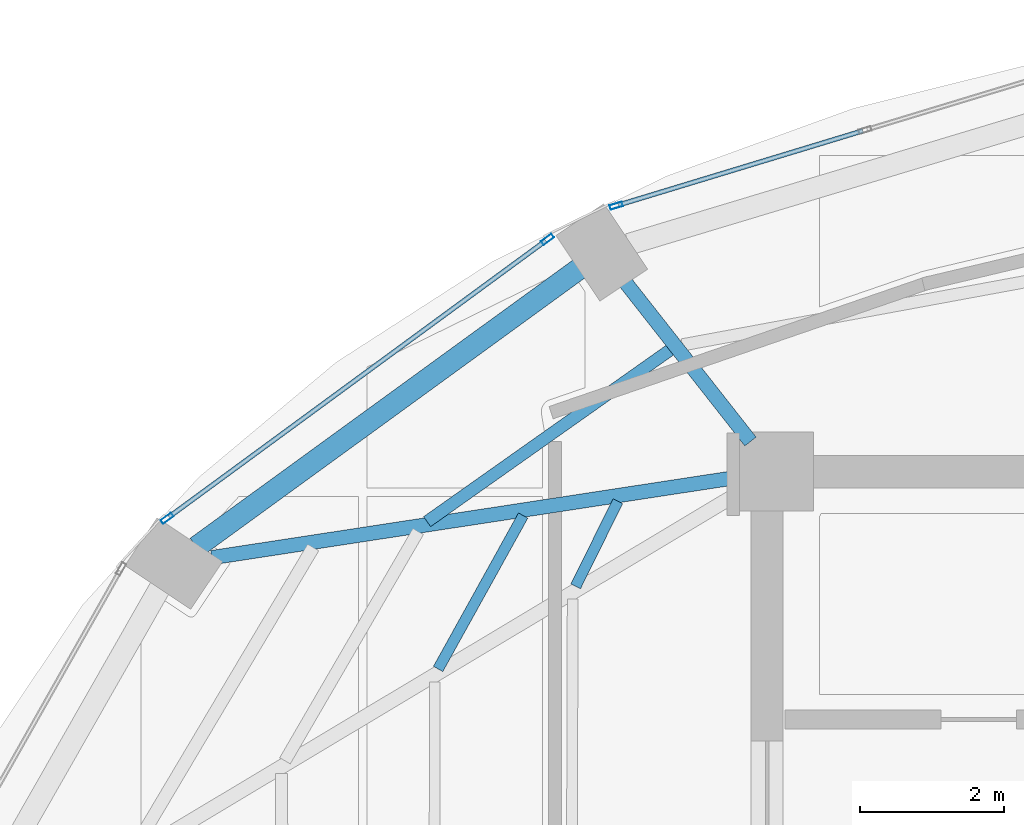
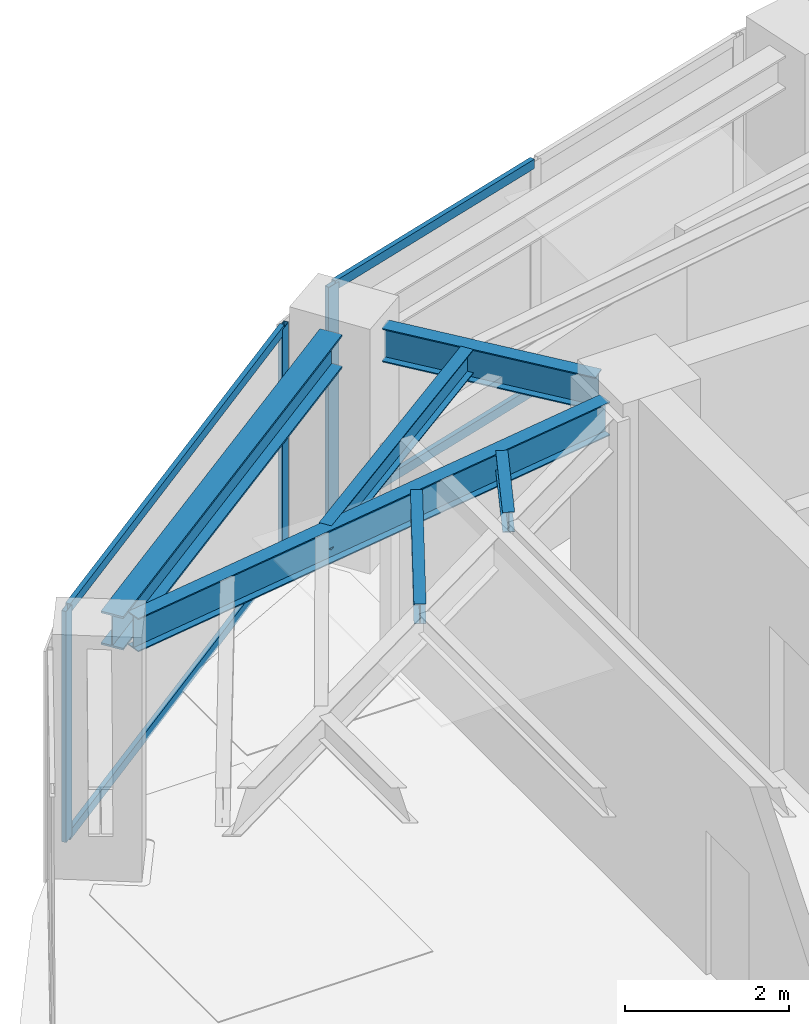
# One storey, part 10 of 22: 7 members, 6 beams, 2 elements without a shape of their own.
"""IFC4 building model written with IfcOpenShell, lengths in metres."""

from ifc_helpers import new_model, si_unit, direction, frame, origin, origin_2d, place, context, subcontext, project, spatial, hollow_rectangle, i_section, extrude, material, layer, layer_set, material_profile, profile_set, type_object, element, aggregate, save


model = new_model("IFC4")

# Units and contexts
model_context = context("Model", 3, precision=1e-05, world=origin(), true_north=direction((0.0, 1.0)))
body_context = subcontext(model_context, "Body", "Model", "MODEL_VIEW")
ifc_project = project(units=[si_unit("LENGTHUNIT", "METRE"), si_unit("AREAUNIT", "SQUARE_METRE"), si_unit("VOLUMEUNIT", "CUBIC_METRE"), si_unit("PLANEANGLEUNIT", "RADIAN"), si_unit("MASSUNIT", "GRAM", prefix="KILO")], contexts=[model_context])

# Site, building, storey
site_placement = place(None, origin())
site = spatial("IfcSite", under=ifc_project, at=site_placement, CompositionType="ELEMENT")
building_placement = place(site_placement, origin())
building = spatial("IfcBuilding", under=site, at=building_placement, Name="Lazwardi Medical Tower", CompositionType="ELEMENT")
storey_placement = place(building_placement, frame((0.0, 0.0, 251.3759765625)))
storey = spatial("IfcBuildingStorey", under=building, at=storey_placement, Name="L65", CompositionType="ELEMENT", Elevation=251.3759765625)

# Beams
ifc_material_1 = material(Name="Steel S355", Category="steel")
ifc_material_profile_1 = material_profile(ifc_material_1, i_section(OverallWidth=0.300048828125, OverallDepth=0.5, WebThickness=0.014404296875, FlangeThickness=0.028076171875, at=origin_2d()), Name="HEB 500")
ifc_profile_set_1 = profile_set([ifc_material_profile_1], Name="Steel S355")
beam_type_1 = type_object("IfcBeamType", Name="BM-RB-Z4", PredefinedType="BEAM", material=ifc_profile_set_1)
beam_1_placement = place(storey_placement, frame((23.68408203125, 38.4248046875, 3.197998046875), z_axis=(-0.808889916254, -0.587960120571, 0.0), x_axis=(0.587960120571, -0.808889916254, 0.0)))
element("IfcBeam", 1, at=beam_1_placement, inside=storey, type_object=beam_type_1, Name="Ring beam RB-05 B10 L65", PredefinedType="BEAM", context=body_context, shape_type="SweptSolid", body=[
    extrude(i_section(OverallWidth=0.300048828125, OverallDepth=0.5, WebThickness=0.014404296875, FlangeThickness=0.028076171875, at=origin_2d()), origin(), (0.0, 0.0, 1.0), 6.587158203125),
])
ifc_material_profile_2 = material_profile(ifc_material_1, i_section(OverallWidth=0.199951171875, OverallDepth=0.5, WebThickness=0.01025390625, FlangeThickness=0.01611328125, at=origin_2d()), Name="IPE 500")
ifc_profile_set_2 = profile_set([ifc_material_profile_2], Name="Steel S355")
beam_type_2 = type_object("IfcBeamType", Name="BM-RG-W3", PredefinedType="BEAM", material=ifc_profile_set_2)
beam_2_placement = place(storey_placement, frame((24.330322265625, 38.2333984375, 3.197998046875), z_axis=(0.617890508382, -0.786264153864, 0.0), x_axis=(0.786264153864, 0.617890508382, 0.0)))
element("IfcBeam", 2, at=beam_2_placement, inside=storey, type_object=beam_type_2, Name="Radial girder RG-04 R10 L65", PredefinedType="BEAM", context=body_context, shape_type="SweptSolid", body=[
    extrude(i_section(OverallWidth=0.199951171875, OverallDepth=0.5, WebThickness=0.01025390625, FlangeThickness=0.01611328125, at=origin_2d()), origin(), (0.0, 0.0, 1.0), 2.814453125),
])
beam_3_placement = place(storey_placement, frame((18.569091796875, 34.4033203125, 3.197998046875), z_axis=(0.988522137285, 0.151076087115, 0.0), x_axis=(-0.151076087115, 0.988522137285, 0.0)))
element("IfcBeam", 3, at=beam_3_placement, inside=storey, type_object=beam_type_2, Name="Radial girder RG-04 R11 L65", PredefinedType="BEAM", context=body_context, shape_type="SweptSolid", body=[
    extrude(i_section(OverallWidth=0.199951171875, OverallDepth=0.5, WebThickness=0.01025390625, FlangeThickness=0.01611328125, at=origin_2d()), origin(), (0.0, 0.0, 1.0), 7.38671875),
])
ifc_material_profile_3 = material_profile(ifc_material_1, i_section(OverallWidth=0.169921875, OverallDepth=0.360107421875, WebThickness=0.008056640625, FlangeThickness=0.0126953125, at=origin_2d()), Name="IPE 360")
ifc_profile_set_3 = profile_set([ifc_material_profile_3], Name="Steel S355")
beam_type_3 = type_object("IfcBeamType", Name="BM-SJ-02", PredefinedType="JOIST", material=ifc_profile_set_3)
beam_4_placement = place(storey_placement, frame((24.948486328125, 37.29345703125, 3.26806640625), z_axis=(-0.816711190406, -0.577046645832, 0.0), x_axis=(0.577046645832, -0.816711190406, 0.0)))
element("IfcBeam", 4, at=beam_4_placement, inside=storey, type_object=beam_type_3, Name="Secondary joist SJ-02 R2 B10 L65", PredefinedType="JOIST", context=body_context, shape_type="SweptSolid", body=[
    extrude(i_section(OverallWidth=0.169921875, OverallDepth=0.360107421875, WebThickness=0.008056640625, FlangeThickness=0.0126953125, at=origin_2d()), origin(), (0.0, 0.0, 1.0), 4.139892578125),
])
ifc_material_profile_4 = material_profile(ifc_material_1, i_section(OverallWidth=0.14990234375, OverallDepth=0.300048828125, WebThickness=0.007080078125, FlangeThickness=0.0107421875, at=origin_2d()), Name="IPE 300")
ifc_profile_set_4 = profile_set([ifc_material_profile_4], Name="Steel S355")
beam_type_4 = type_object("IfcBeamType", Name="BM-SJ-03", PredefinedType="JOIST", material=ifc_profile_set_4)
beam_5_placement = place(storey_placement, frame((22.904296875, 34.98974609375, 3.298095703125), z_axis=(-0.484751625998, -0.874651851363, 0.0), x_axis=(0.874651851363, -0.484751625998, 0.0)))
element("IfcBeam", 5, at=beam_5_placement, inside=storey, type_object=beam_type_4, Name="Secondary joist SJ-03 R3 B11 L65", PredefinedType="JOIST", context=body_context, shape_type="SweptSolid", body=[
    extrude(i_section(OverallWidth=0.14990234375, OverallDepth=0.300048828125, WebThickness=0.007080078125, FlangeThickness=0.0107421875, at=origin_2d()), origin(), (0.0, 0.0, 1.0), 2.442626953125),
])
beam_6_placement = place(storey_placement, frame((24.222412109375, 35.188720703125, 3.298095703125), z_axis=(-0.443587297772, -0.89623116954, 0.0), x_axis=(0.89623116954, -0.443587297772, 0.0)))
element("IfcBeam", 6, at=beam_6_placement, inside=storey, type_object=beam_type_4, Name="Secondary joist SJ-03 R4 B11 L65", PredefinedType="JOIST", context=body_context, shape_type="SweptSolid", body=[
    extrude(i_section(OverallWidth=0.14990234375, OverallDepth=0.300048828125, WebThickness=0.007080078125, FlangeThickness=0.0107421875, at=origin_2d()), origin(), (0.0, 0.0, 1.0), 1.32080078125),
])

# Curtain wall, member
ifc_material_2 = material(Name="Anodised bronze aluminium and solar control glazing", Category="aluminium")
ifc_layer = layer(ifc_material_2, 0.18994140625)
ifc_layer_set = layer_set([ifc_layer], Name="Anodised bronze aluminium and solar control glazing")
curtain_wall_type = type_object("IfcCurtainWallType", Name="CW-SYS-04", PredefinedType="NOTDEFINED", material=ifc_layer_set)
curtain_wall_1_placement = place(storey_placement, origin())
curtain_wall_1 = element("IfcCurtainWall", 7, at=curtain_wall_1_placement, inside=storey, type_object=curtain_wall_type, Name="L65 Unitised bronze curtain wall CW-04", PredefinedType="NOTDEFINED")
ifc_material_3 = material(Name="Anodised bronze aluminium", Category="aluminium")
ifc_material_profile_5 = material_profile(ifc_material_3, hollow_rectangle(XDim=0.06494140625, YDim=0.179931640625, WallThickness=0.00390625, at=origin_2d()), Name="ALU-MULLION 180x65x4")
ifc_profile_set_5 = profile_set([ifc_material_profile_5], Name="Anodised bronze aluminium")
member_type_1 = type_object("IfcMemberType", Name="CW-MUL-03", PredefinedType="MULLION", material=ifc_profile_set_5)
member_1_placement = place(storey_placement, frame((24.2001953125, 39.303466796875, 0.0), z_axis=(0.0, 0.0, 1.0), x_axis=(0.290581889515, -0.956850126972, 0.0)))
member_1 = element("IfcMember", 8, at=member_1_placement, type_object=member_type_1, Name="CW-04 mullion 3", PredefinedType="MULLION", context=body_context, shape_type="SweptSolid", body=[
    extrude(hollow_rectangle(XDim=0.06494140625, YDim=0.179931640625, WallThickness=0.00390625, at=origin_2d()), origin(), (0.0, 0.0, 1.0), 3.447998046875),
])

# Curtain wall, members
curtain_wall_2_placement = place(storey_placement, origin())
curtain_wall_2 = element("IfcCurtainWall", 9, at=curtain_wall_2_placement, inside=storey, type_object=curtain_wall_type, Name="L65 Unitised bronze curtain wall CW-04", PredefinedType="NOTDEFINED")
member_2_placement = place(storey_placement, frame((23.24462890625, 38.8349609375, 0.0), z_axis=(0.0, 0.0, 1.0), x_axis=(0.591268230971, -0.806474971121, 0.0)))
member_2 = element("IfcMember", 10, at=member_2_placement, type_object=member_type_1, Name="CW-04 mullion 1", PredefinedType="MULLION", context=body_context, shape_type="SweptSolid", body=[
    extrude(hollow_rectangle(XDim=0.06494140625, YDim=0.179931640625, WallThickness=0.00390625, at=origin_2d()), origin(), (0.0, 0.0, 1.0), 3.447998046875),
])
member_3_placement = place(storey_placement, frame((17.947998046875, 34.95166015625, 0.0), z_axis=(0.0, 0.0, 1.0), x_axis=(0.591268230971, -0.806474971121, 0.0)))
member_3 = element("IfcMember", 11, at=member_3_placement, type_object=member_type_1, Name="CW-04 mullion 2", PredefinedType="MULLION", context=body_context, shape_type="SweptSolid", body=[
    extrude(hollow_rectangle(XDim=0.06494140625, YDim=0.179931640625, WallThickness=0.00390625, at=origin_2d()), origin(), (0.0, 0.0, 1.0), 3.447998046875),
])

# Member
ifc_material_profile_6 = material_profile(ifc_material_3, hollow_rectangle(XDim=0.06494140625, YDim=0.139892578125, WallThickness=0.00341796875, at=origin_2d()), Name="ALU-TRANSOM 140x65x3.5")
ifc_profile_set_6 = profile_set([ifc_material_profile_6], Name="Anodised bronze aluminium")
member_type_2 = type_object("IfcMemberType", Name="CW-TRN-03", PredefinedType="USERDEFINED", material=ifc_profile_set_6)
member_4_placement = place(storey_placement, frame((27.632568359375, 40.345947265625, 0.032470703125), z_axis=(-0.956843409009, -0.290604010015, 0.0), x_axis=(0.290604010015, -0.956843409009, 0.0)))
member_4 = element("IfcMember", 12, at=member_4_placement, type_object=member_type_2, Name="CW-04 transom 2.1", ObjectType="TRANSOM", PredefinedType="USERDEFINED", context=body_context, shape_type="SweptSolid", body=[
    extrude(hollow_rectangle(XDim=0.06494140625, YDim=0.139892578125, WallThickness=0.00341796875, at=origin_2d()), origin(), (0.0, 0.0, 1.0), 3.554443359375),
])

member_5_placement = place(storey_placement, frame((27.632568359375, 40.345947265625, 3.41552734375), z_axis=(-0.956843409009, -0.290604010015, 0.0), x_axis=(0.290604010015, -0.956843409009, 0.0)))
member_5 = element("IfcMember", 13, at=member_5_placement, type_object=member_type_2, Name="CW-04 transom 2.2", ObjectType="TRANSOM", PredefinedType="USERDEFINED", context=body_context, shape_type="SweptSolid", body=[
    extrude(hollow_rectangle(XDim=0.06494140625, YDim=0.139892578125, WallThickness=0.00341796875, at=origin_2d()), origin(), (0.0, 0.0, 1.0), 3.554443359375),
])

aggregate(curtain_wall_1, [member_1, member_4, member_5])

member_6_placement = place(storey_placement, frame((23.218505859375, 38.815673828125, 0.032470703125), z_axis=(-0.80648973359, -0.591248094808, 0.0), x_axis=(0.591248094808, -0.80648973359, 0.0)))
member_6 = element("IfcMember", 14, at=member_6_placement, type_object=member_type_2, Name="CW-04 transom 1.1", ObjectType="TRANSOM", PredefinedType="USERDEFINED", context=body_context, shape_type="SweptSolid", body=[
    extrude(hollow_rectangle(XDim=0.06494140625, YDim=0.139892578125, WallThickness=0.00341796875, at=origin_2d()), origin(), (0.0, 0.0, 1.0), 6.502685546875),
])

member_7_placement = place(storey_placement, frame((23.218505859375, 38.815673828125, 3.41552734375), z_axis=(-0.80648973359, -0.591248094808, 0.0), x_axis=(0.591248094808, -0.80648973359, 0.0)))
member_7 = element("IfcMember", 15, at=member_7_placement, type_object=member_type_2, Name="CW-04 transom 1.2", ObjectType="TRANSOM", PredefinedType="USERDEFINED", context=body_context, shape_type="SweptSolid", body=[
    extrude(hollow_rectangle(XDim=0.06494140625, YDim=0.139892578125, WallThickness=0.00341796875, at=origin_2d()), origin(), (0.0, 0.0, 1.0), 6.502685546875),
])

aggregate(curtain_wall_2, [member_2, member_3, member_6, member_7])

save(model, "model.ifc")
